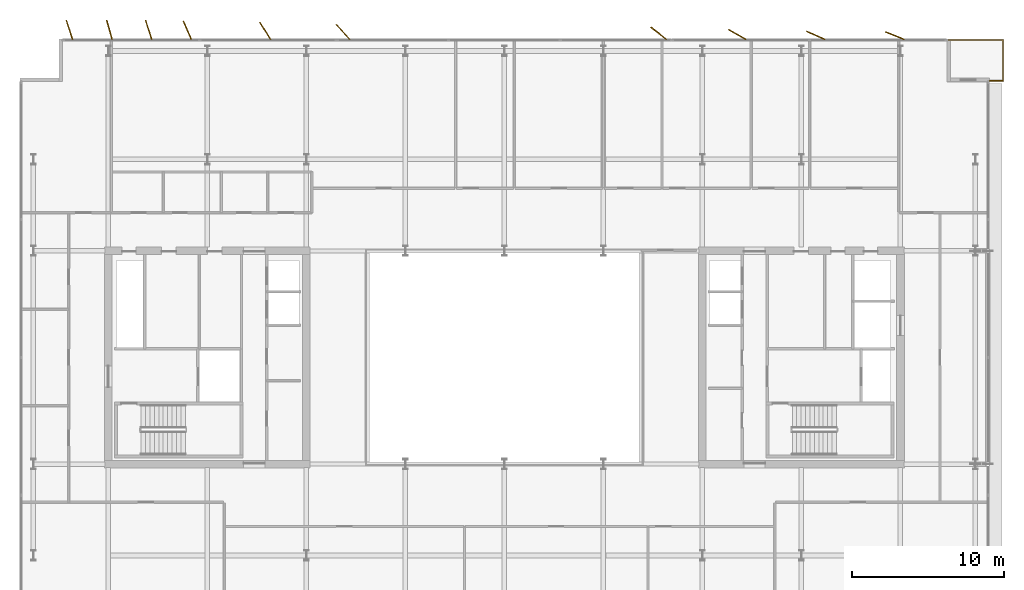
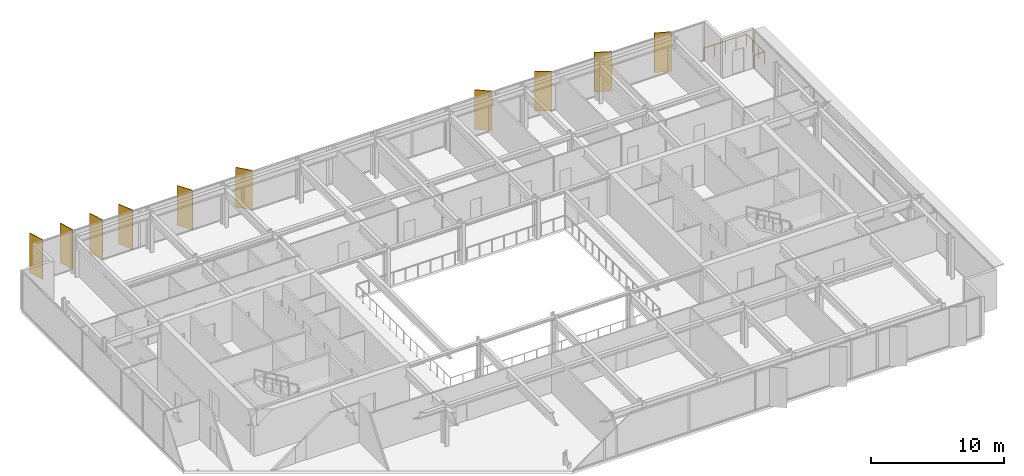
# One storey, part 19 of 19: 10 shading devices, 1 railing.
"""IFC4 building model written with IfcOpenShell, lengths in metres."""

from ifc_helpers import new_model, si_unit, direction, frame, origin, origin_2d, place, context, subcontext, project, spatial, rectangle, circle, extrude, material, layer, layer_set, type_object, element, save


model = new_model("IFC4")

# Units and contexts
model_context = context("Model", 3, precision=1e-05, world=origin(), true_north=direction((0.0, 1.0)))
body_context = subcontext(model_context, "Body", "Model", "MODEL_VIEW")
ifc_project = project(units=[si_unit("LENGTHUNIT", "METRE"), si_unit("AREAUNIT", "SQUARE_METRE"), si_unit("VOLUMEUNIT", "CUBIC_METRE"), si_unit("PLANEANGLEUNIT", "RADIAN"), si_unit("MASSUNIT", "GRAM", prefix="KILO")], contexts=[model_context])

# Site, building, storey
site_placement = place(None, origin())
site = spatial("IfcSite", under=ifc_project, at=site_placement, CompositionType="ELEMENT")
building_placement = place(site_placement, origin())
building = spatial("IfcBuilding", under=site, at=building_placement, Name="Putna Gate Headquarters", CompositionType="ELEMENT")
storey_placement = place(building_placement, frame((0.0, 0.0, 259.39990234375)))
storey = spatial("IfcBuildingStorey", under=building, at=storey_placement, Name="L65", CompositionType="ELEMENT", Elevation=259.39990234375)

# Railing
ifc_material_1 = material(Name="Anodised bronze steel and laminated glass guardrail", Category="steel")
railing_type = type_object("IfcRailingType", Name="RAIL-TERR-GUARD-1150", PredefinedType="GUARDRAIL", material=ifc_material_1)
railing_placement = place(storey_placement, frame((70.847900390625, 44.159912109375, 0.0)))
element("IfcRailing", 1, at=railing_placement, inside=storey, type_object=railing_type, Name="L65 Spiral Sky Terrace Guardrail NE", PredefinedType="GUARDRAIL", context=body_context, shape_type="SweptSolid", body=[
    extrude(circle(Radius=0.02392578125, at=origin_2d()), frame((0.0, 0.0, 1.1259765625), z_axis=(1.0, 0.0, 0.0), x_axis=(0.0, 1.0, 0.0)), (0.0, 0.0, 1.0), 0.889892578125),
    extrude(circle(Radius=0.02392578125, at=origin_2d()), frame((0.889892578125, 0.0, 1.1259765625), z_axis=(0.0, 1.0, 0.0), x_axis=(-1.0, 0.0, 0.0)), (0.0, 0.0, 1.0), 2.68017578125),
    extrude(circle(Radius=0.02392578125, at=origin_2d()), frame((0.889892578125, 2.68017578125, 1.1259765625), z_axis=(-1.0, 0.0, 0.0), x_axis=(0.0, -1.0, 0.0)), (0.0, 0.0, 1.0), 3.68994140625),
    extrude(circle(Radius=0.02099609375, at=origin_2d()), origin(), (0.0, 0.0, 1.0), 1.101806640625),
    extrude(circle(Radius=0.02099609375, at=origin_2d()), frame((0.889892578125, 0.0, 0.0)), (0.0, 0.0, 1.0), 1.101806640625),
    extrude(circle(Radius=0.02099609375, at=origin_2d()), frame((0.889892578125, 0.893310546875, 0.0)), (0.0, 0.0, 1.0), 1.101806640625),
    extrude(circle(Radius=0.02099609375, at=origin_2d()), frame((0.889892578125, 1.786865234375, 0.0)), (0.0, 0.0, 1.0), 1.101806640625),
    extrude(circle(Radius=0.02099609375, at=origin_2d()), frame((0.889892578125, 2.68017578125, 0.0)), (0.0, 0.0, 1.0), 1.101806640625),
    extrude(circle(Radius=0.02099609375, at=origin_2d()), frame((-0.03271484375, 2.68017578125, 0.0)), (0.0, 0.0, 1.0), 1.101806640625),
    extrude(circle(Radius=0.02099609375, at=origin_2d()), frame((-0.955078125, 2.68017578125, 0.0)), (0.0, 0.0, 1.0), 1.101806640625),
    extrude(circle(Radius=0.02099609375, at=origin_2d()), frame((-1.87744140625, 2.68017578125, 0.0)), (0.0, 0.0, 1.0), 1.101806640625),
    extrude(circle(Radius=0.02099609375, at=origin_2d()), frame((-2.800048828125, 2.68017578125, 0.0)), (0.0, 0.0, 1.0), 1.101806640625),
])

# Shading devices
ifc_material_2 = material(Name="Anodised architectural bronze aluminium fin", Category="aluminium")
ifc_layer = layer(ifc_material_2, 0.06494140625)
ifc_layer_set = layer_set([ifc_layer], Name="Anodised architectural bronze aluminium fin")
shading_device_type = type_object("IfcShadingDeviceType", Name="SHADE-BRONZE-FIN-1320", PredefinedType="USERDEFINED", material=ifc_layer_set)
for number, where, z_axis, x_axis, name in (
    (2, (10.4462890625, 47.502685546875, -0.019775390625), (0.0, 0.0, 1.0), (-0.308684994204, 0.951164325631, 0.0), "L65 Bronze Vertical Shading Fin N1"),
    (3, (13.068115234375, 47.509521484375, -0.019775390625), (0.0, 0.0, 1.0), (-0.275637355817, 0.961261695938, 0.0), "L65 Bronze Vertical Shading Fin N2"),
    (4, (15.646240234375, 47.502685546875, -0.019775390625), (0.0, 0.0, 1.0), (-0.308684994204, 0.951164325631, 0.0), "L65 Bronze Vertical Shading Fin N3"),
    (5, (18.185546875, 47.479736328125, -0.019775390625), (0.0, 0.0, 1.0), (-0.400668879095, 0.916222925562, 0.0), "L65 Bronze Vertical Shading Fin N4"),
    (6, (23.2998046875, 47.434326171875, -0.019775390625), (0.0, 0.0, 1.0), (-0.530659123936, 0.847585331506, 0.0), "L65 Bronze Vertical Shading Fin N5"),
    (7, (28.408447265625, 47.365478515625, -0.019775390625), (0.0, 0.0, 1.0), (-0.669130606359, 0.743144825477, 0.0), "L65 Bronze Vertical Shading Fin N6"),
    (8, (49.13037109375, 47.28173828125, -0.019775390625), (0.0, 0.0, 1.0), (-0.787473187632, 0.616348909921, 0.0), "L65 Bronze Vertical Shading Fin N7"),
    (9, (54.276123046875, 47.201171875, -0.019775390625), (0.0, 0.0, 1.0), (-0.869322458298, 0.494245347472, 0.0), "L65 Bronze Vertical Shading Fin N8"),
    (10, (59.447021484375, 47.143310546875, -0.019775390625), (0.0, 0.0, 1.0), (-0.913687379856, 0.40641773078, 0.0), "L65 Bronze Vertical Shading Fin N9"),
    (11, (64.63818359375, 47.122314453125, -0.019775390625), (0.0, 0.0, 1.0), (-0.927183854567, 0.374606593416, 0.0), "L65 Bronze Vertical Shading Fin N10"),
):
    element("IfcShadingDevice", number, at=place(storey_placement, frame(where, z_axis=z_axis, x_axis=x_axis)), inside=storey, type_object=shading_device_type, Name=name, ObjectType="FIN", PredefinedType="USERDEFINED", context=body_context, shape_type="SweptSolid", body=[
        extrude(rectangle(XDim=1.320068359375, YDim=0.06494140625, at=origin_2d()), origin(), (0.0, 0.0, 1.0), 3.6279296875),
    ])

save(model, "model.ifc")
